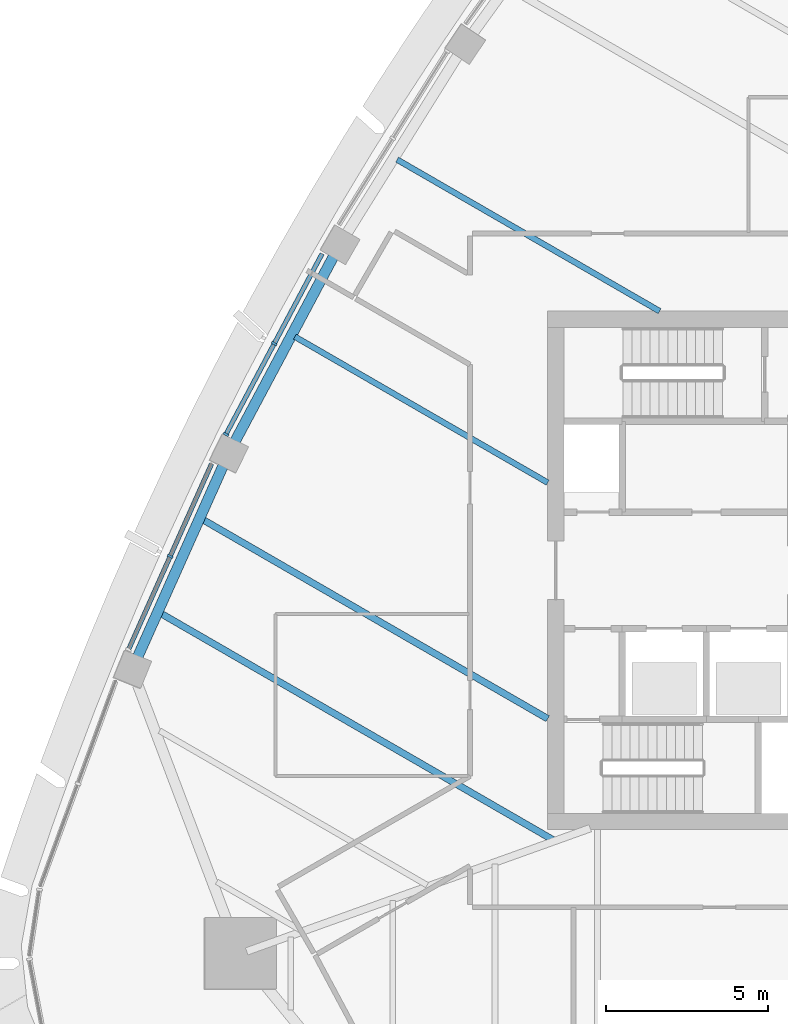
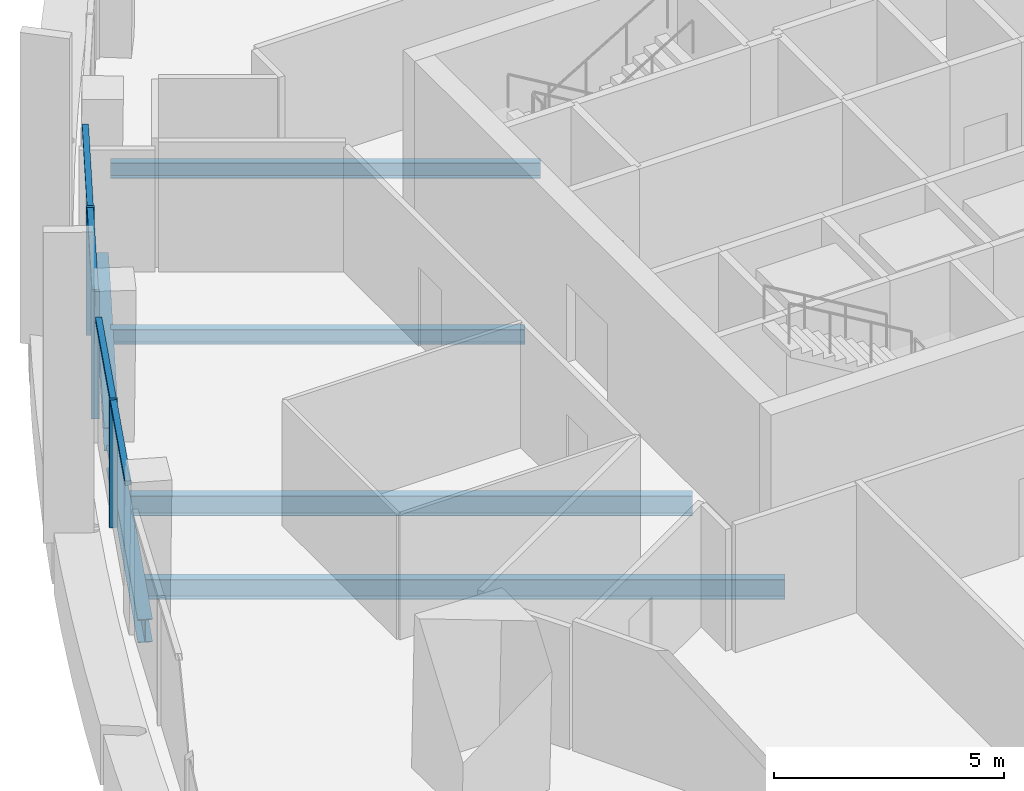
# One storey, part 3 of 19: 7 members, 6 beams, 2 elements without a shape of their own.
"""IFC4 building model written with IfcOpenShell, lengths in metres."""

import ifcopenshell
import ifcopenshell.guid

model = None  # the IFC model being written
_history = None  # IfcOwnerHistory: only IFC2X3 demands one
_inside = {}  # id of a spatial element -> (the spatial element, [elements in it])
_under = {}  # id of a project, library or spatial element -> (it, [spatial elements below it])
_declared = {}  # id of a project -> (the project, [libraries it declares])
_typed = {}  # id of a type object -> (the type object, [elements of that type])
_made_of = {}  # id of a material, layer set ... -> (it, [elements and type objects made of it])


def new_model(schema):
    """Start an empty IFC model of exactly this schema.

    Asked for "IFC4X3", IfcOpenShell would pick the latest addendum, in which some entities
    have other attributes; the version numbers below select the first issue.
    IFC2X3 requires an IfcOwnerHistory on every rooted entity: one is made here for all.
    """
    global model, _history
    if schema == "IFC4X3":
        model = ifcopenshell.file(schema_version=(4, 3, 0, 0))
    else:
        model = ifcopenshell.file(schema=schema)
    _inside.clear()
    _under.clear()
    _declared.clear()
    _typed.clear()
    _made_of.clear()
    _history = None
    if model.schema == "IFC2X3":
        org = make("IfcOrganization", Name="unknown")
        user = make(
            "IfcPersonAndOrganization",
            ThePerson=make("IfcPerson", FamilyName="unknown"),
            TheOrganization=org,
        )
        app = make(
            "IfcApplication",
            ApplicationDeveloper=org,
            Version="unknown",
            ApplicationFullName="unknown",
            ApplicationIdentifier="unknown",
        )
        _history = make(
            "IfcOwnerHistory",
            OwningUser=user,
            OwningApplication=app,
            ChangeAction="ADDED",
            CreationDate=0,
        )
    return model


def make(cls, **values):
    """One entity of the class cls with the attributes given. An attribute that is None is left unset."""
    return model.create_entity(
        cls, **{name: value for name, value in values.items() if value is not None}
    )


def rooted(cls, **values):
    """An entity with a GlobalId (a new one), such as an element, a storey or a relation."""
    return make(cls, GlobalId=ifcopenshell.guid.new(), OwnerHistory=_history, **values)


def si_unit(unit_type, name, prefix=None):
    """IfcSIUnit, for example si_unit("LENGTHUNIT", "METRE", prefix="MILLI")."""
    return make("IfcSIUnit", UnitType=unit_type, Prefix=prefix, Name=name)


def assignment(units):
    """IfcUnitAssignment: the units of a project."""
    return None if units is None else make("IfcUnitAssignment", Units=units)


def point(xyz):
    """IfcCartesianPoint."""
    return None if xyz is None else make("IfcCartesianPoint", Coordinates=xyz)


def direction(xyz):
    """IfcDirection."""
    return None if xyz is None else make("IfcDirection", DirectionRatios=xyz)


def frame(location, z_axis=None, x_axis=None):
    """IfcAxis2Placement3D, a coordinate frame: its origin and axes. An axis left out is left unset."""
    return make(
        "IfcAxis2Placement3D",
        Location=point(location),
        Axis=direction(z_axis),
        RefDirection=direction(x_axis),
    )


def frame_2d(location, x_axis=None):
    """IfcAxis2Placement2D, a coordinate frame in the plane: its origin and x axis."""
    return make(
        "IfcAxis2Placement2D", Location=point(location), RefDirection=direction(x_axis)
    )


def origin():
    """The frame at (0, 0, 0) with its axes left unset."""
    return frame((0.0, 0.0, 0.0))


def origin_2d():
    """The frame at (0, 0) in the plane with its x axis left unset."""
    return frame_2d((0.0, 0.0))


def place(relative_to, where):
    """IfcLocalPlacement: puts the frame where relative to a parent placement (None: the world)."""
    return make(
        "IfcLocalPlacement", PlacementRelTo=relative_to, RelativePlacement=where
    )


def context(
    kind, dimensions, precision=None, world=None, true_north=None, identifier=None
):
    """IfcGeometricRepresentationContext, for example the 3D "Model" context."""
    return make(
        "IfcGeometricRepresentationContext",
        ContextIdentifier=identifier,
        ContextType=kind,
        CoordinateSpaceDimension=dimensions,
        Precision=precision,
        WorldCoordinateSystem=world,
        TrueNorth=true_north,
    )


def subcontext(parent, identifier, kind, view, scale=None):
    """IfcGeometricRepresentationSubContext, for example "Body" below "Model"."""
    return make(
        "IfcGeometricRepresentationSubContext",
        ContextIdentifier=identifier,
        ContextType=kind,
        ParentContext=parent,
        TargetScale=scale,
        TargetView=view,
    )


def project(units=None, contexts=None):
    """IfcProject with its units and contexts."""
    return rooted(
        "IfcProject",
        Name="project",
        RepresentationContexts=contexts,
        UnitsInContext=assignment(units),
    )


def spatial(cls, under=None, at=None, **own):
    """A site, building, storey or space (cls), placed at a placement, below another one or the project."""
    s = rooted(cls, ObjectPlacement=at, **own)
    if under is not None:
        _under.setdefault(under.id(), (under, []))[1].append(s)
    return s


def profile(cls, at=None, kind="AREA", **sizes):
    """A parametric profile (cls). Its sizes go by their IFC names, for example OverallWidth=200.0."""
    return make(cls, ProfileType=kind, Position=at, **sizes)


def rectangle(**sizes):
    """IfcRectangleProfileDef."""
    return profile("IfcRectangleProfileDef", **sizes)


def i_section(**sizes):
    """IfcIShapeProfileDef."""
    return profile("IfcIShapeProfileDef", **sizes)


def extrude(swept, where, along, depth):
    """IfcExtrudedAreaSolid: the profile swept, set in the frame where, extruded along a direction by depth."""
    return make(
        "IfcExtrudedAreaSolid",
        SweptArea=swept,
        Position=where,
        ExtrudedDirection=direction(along),
        Depth=depth,
    )


def shape(context_of_items, identifier, shape_type, items):
    """IfcShapeRepresentation: the items that make up one representation, for example the "Body"."""
    return make(
        "IfcShapeRepresentation",
        ContextOfItems=context_of_items,
        RepresentationIdentifier=identifier,
        RepresentationType=shape_type,
        Items=items,
    )


def material(Name=None, Category=None):
    """IfcMaterial."""
    return make("IfcMaterial", Name=Name, Category=Category)


def layer(
    of_material, thickness, ventilated=None, Name=None, Category=None, Priority=None
):
    """IfcMaterialLayer: one layer of a wall or slab, of a material (None: an air gap)."""
    return make(
        "IfcMaterialLayer",
        Material=of_material,
        LayerThickness=thickness,
        IsVentilated=ventilated,
        Name=Name,
        Category=Category,
        Priority=Priority,
    )


def layer_set(layers, Name=None):
    """IfcMaterialLayerSet."""
    return make("IfcMaterialLayerSet", MaterialLayers=layers, LayerSetName=Name)


def material_profile(
    of_material, cross_section, Name=None, Category=None, Priority=None
):
    """IfcMaterialProfile: a cross section and its material."""
    return make(
        "IfcMaterialProfile",
        Name=Name,
        Material=of_material,
        Profile=cross_section,
        Priority=Priority,
        Category=Category,
    )


def profile_set(profiles, Name=None, composite=None):
    """IfcMaterialProfileSet."""
    return make(
        "IfcMaterialProfileSet",
        Name=Name,
        MaterialProfiles=profiles,
        CompositeProfile=composite,
    )


def made_of(thing, what):
    """Note that an element or type object is made of a material, layer set ...; save() writes the relation."""
    if what is not None:
        _made_of.setdefault(what.id(), (what, []))[1].append(thing)
    return thing


def type_object(cls, material=None, **own):
    """A type object (cls), such as IfcWallType, which elements share."""
    return made_of(rooted(cls, **own), material)


def element(
    cls,
    number,
    at=None,
    inside=None,
    cuts=None,
    type_object=None,
    material=None,
    context=None,
    identifier="Body",
    shape_type=None,
    held_by="IfcProductDefinitionShape",
    body=None,
    shapes=None,
    **own,
):
    """One element of the class cls, such as IfcWall. Its Tag is "e" and its number.

    at: its placement. inside: the storey or other place that contains it. cuts: it is an
    opening in that element (IfcRelVoidsElement). A single representation is given by context,
    identifier, shape_type and body (its items); several are given by shapes. held_by: the class
    of the entity that holds the representations. save() writes the other relations.
    """
    e = rooted(cls, Tag="e%d" % number, ObjectPlacement=at, **own)
    if body is not None:
        shapes = [shape(context, identifier, shape_type, body)]
    if shapes is not None:
        e.Representation = make(held_by, Representations=shapes)
    if inside is not None:
        _inside.setdefault(inside.id(), (inside, []))[1].append(e)
    if cuts is not None:
        rooted(
            "IfcRelVoidsElement", RelatingBuildingElement=cuts, RelatedOpeningElement=e
        )
    if type_object is not None:
        _typed.setdefault(type_object.id(), (type_object, []))[1].append(e)
    return made_of(e, material)


def aggregate(whole, parts):
    """IfcRelAggregates: a whole, such as a stair, and the parts it consists of."""
    return rooted("IfcRelAggregates", RelatingObject=whole, RelatedObjects=parts)


def save(model, path):
    """Write the relations noted so far, then the file.

    IfcRelAggregates (storeys below a building ...), IfcRelContainedInSpatialStructure (elements
    in a storey), IfcRelDefinesByType, IfcRelAssociatesMaterial and IfcRelDeclares: one each for
    every whole, place, type object, material and project.
    """
    for whole, parts in _under.values():
        aggregate(whole, parts)
    for where, things in _inside.values():
        rooted(
            "IfcRelContainedInSpatialStructure",
            RelatedElements=things,
            RelatingStructure=where,
        )
    for kind, things in _typed.values():
        rooted("IfcRelDefinesByType", RelatedObjects=things, RelatingType=kind)
    for what, things in _made_of.values():
        rooted("IfcRelAssociatesMaterial", RelatedObjects=things, RelatingMaterial=what)
    for by, libraries in _declared.values():
        rooted("IfcRelDeclares", RelatingContext=by, RelatedDefinitions=libraries)
    model.write(path)


model = new_model("IFC4")

# Units and contexts
model_context = context("Model", 3, precision=1e-05, world=origin(), true_north=direction((0.0, 1.0)))
body_context = subcontext(model_context, "Body", "Model", "MODEL_VIEW")
ifc_project = project(units=[si_unit("LENGTHUNIT", "METRE"), si_unit("AREAUNIT", "SQUARE_METRE"), si_unit("VOLUMEUNIT", "CUBIC_METRE"), si_unit("PLANEANGLEUNIT", "RADIAN"), si_unit("MASSUNIT", "GRAM", prefix="KILO")], contexts=[model_context])

# Site, building, storey
site_placement = place(None, origin())
site = spatial("IfcSite", under=ifc_project, at=site_placement, CompositionType="ELEMENT")
building_placement = place(site_placement, origin())
building = spatial("IfcBuilding", under=site, at=building_placement, Name="Sierra Prisma Convention Tower", CompositionType="ELEMENT")
storey_placement = place(building_placement, frame((0.0, 0.0, 295.0)))
storey = spatial("IfcBuildingStorey", under=building, at=storey_placement, Name="L67", CompositionType="ELEMENT", Elevation=295.0)

# Curtain wall, members
ifc_material_1 = material(Name="Aluminium and glass curtain wall", Category="aluminium")
ifc_layer = layer(ifc_material_1, 0.179931640625)
ifc_layer_set = layer_set([ifc_layer], Name="CW-1 Plain shaft curtain wall")
curtain_wall_type = type_object("IfcCurtainWallType", Name="CW-1 Plain shaft curtain wall", PredefinedType="NOTDEFINED", material=ifc_layer_set)
curtain_wall_1_placement = place(storey_placement, origin())
curtain_wall_1 = element("IfcCurtainWall", 1, at=curtain_wall_1_placement, inside=storey, type_object=curtain_wall_type, Name="CW-1 NW4 L67", PredefinedType="NOTDEFINED")
ifc_material_2 = material(Name="Aluminium 6063-T6 bronze anodised", Category="aluminium")
ifc_material_profile_1 = material_profile(ifc_material_2, rectangle(XDim=0.179931640625, YDim=0.070068359375, at=origin_2d()), Name="ALU MULLION 70x180")
ifc_profile_set_1 = profile_set([ifc_material_profile_1], Name="Aluminium 6063-T6 bronze anodised")
member_type_1 = type_object("IfcMemberType", Name="CW mullion bronze", PredefinedType="MULLION", material=ifc_profile_set_1)
member_1_placement = place(storey_placement, frame((-19.439697265625, 7.000244140625, 0.0), z_axis=(0.0, 0.0, 1.0), x_axis=(0.882726144638, -0.46988780956, 0.0)))
member_1 = element("IfcMember", 2, at=member_1_placement, type_object=member_type_1, Name="CW-1 mullion NW4.2", PredefinedType="MULLION", context=body_context, shape_type="SweptSolid", body=[
    extrude(rectangle(XDim=0.179931640625, YDim=0.070068359375, at=origin_2d()), origin(), (0.0, 0.0, 1.0), 3.39990234375),
])
member_2_placement = place(storey_placement, frame((-20.931640625, 4.19775390625, 0.0), z_axis=(0.0, 0.0, 1.0), x_axis=(0.882726144638, -0.46988780956, 0.0)))
member_2 = element("IfcMember", 3, at=member_2_placement, type_object=member_type_1, Name="CW-1 mullion NW4.3", PredefinedType="MULLION", context=body_context, shape_type="SweptSolid", body=[
    extrude(rectangle(XDim=0.179931640625, YDim=0.070068359375, at=origin_2d()), origin(), (0.0, 0.0, 1.0), 3.39990234375),
])

# Curtain wall, member
curtain_wall_2_placement = place(storey_placement, origin())
curtain_wall_2 = element("IfcCurtainWall", 4, at=curtain_wall_2_placement, inside=storey, type_object=curtain_wall_type, Name="CW-1 NW5 L67", PredefinedType="NOTDEFINED")
member_3_placement = place(storey_placement, frame((-22.652099609375, 0.43212890625, 0.0), z_axis=(0.0, 0.0, 1.0), x_axis=(0.912969229929, -0.40802841225, 0.0)))
member_3 = element("IfcMember", 5, at=member_3_placement, type_object=member_type_1, Name="CW-1 mullion NW5.2", PredefinedType="MULLION", context=body_context, shape_type="SweptSolid", body=[
    extrude(rectangle(XDim=0.179931640625, YDim=0.070068359375, at=origin_2d()), origin(), (0.0, 0.0, 1.0), 3.39990234375),
])

# Member
ifc_material_3 = material(Name="Aluminium 6063-T6 bronze anodised", Category="aluminium")
ifc_material_profile_2 = material_profile(ifc_material_3, rectangle(XDim=0.139892578125, YDim=0.1201171875, at=origin_2d()), Name="ALU TRANSOM 120x140")
ifc_profile_set_2 = profile_set([ifc_material_profile_2], Name="Aluminium 6063-T6 bronze anodised")
member_type_2 = type_object("IfcMemberType", Name="CW transom bronze", PredefinedType="USERDEFINED", material=ifc_profile_set_2)
member_4_placement = place(storey_placement, frame((-17.96435546875, 9.771728515625, 3.340087890625), z_axis=(-0.469902447422, -0.882718352537, 0.0), x_axis=(0.882718352537, -0.469902447422, 0.0)))
member_4 = element("IfcMember", 6, at=member_4_placement, type_object=member_type_2, Name="CW-1 transom NW4.1", ObjectType="TRANSOM", PredefinedType="USERDEFINED", context=body_context, shape_type="SweptSolid", body=[
    extrude(rectangle(XDim=0.139892578125, YDim=0.1201171875, at=origin_2d()), origin(), (0.0, 0.0, 1.0), 3.10498046875),
])

member_5_placement = place(storey_placement, frame((-19.456298828125, 6.96923828125, 3.340087890625), z_axis=(-0.469841174937, -0.882750967337, 0.0), x_axis=(0.882750967337, -0.469841174937, 0.0)))
member_5 = element("IfcMember", 7, at=member_5_placement, type_object=member_type_2, Name="CW-1 transom NW4.2", ObjectType="TRANSOM", PredefinedType="USERDEFINED", context=body_context, shape_type="SweptSolid", body=[
    extrude(rectangle(XDim=0.139892578125, YDim=0.1201171875, at=origin_2d()), origin(), (0.0, 0.0, 1.0), 3.104736328125),
])

aggregate(curtain_wall_1, [member_1, member_2, member_4, member_5])

member_6_placement = place(storey_placement, frame((-21.37744140625, 3.2841796875, 3.340087890625), z_axis=(-0.408000339874, -0.912981775646, 0.0), x_axis=(0.912981775646, -0.408000339874, 0.0)))
member_6 = element("IfcMember", 8, at=member_6_placement, type_object=member_type_2, Name="CW-1 transom NW5.1", ObjectType="TRANSOM", PredefinedType="USERDEFINED", context=body_context, shape_type="SweptSolid", body=[
    extrude(rectangle(XDim=0.139892578125, YDim=0.1201171875, at=origin_2d()), origin(), (0.0, 0.0, 1.0), 3.0888671875),
])

member_7_placement = place(storey_placement, frame((-22.666259765625, 0.400146484375, 3.340087890625), z_axis=(-0.408066218682, -0.912952332365, 0.0), x_axis=(0.912952332365, -0.408066218682, 0.0)))
member_7 = element("IfcMember", 9, at=member_7_placement, type_object=member_type_2, Name="CW-1 transom NW5.2", ObjectType="TRANSOM", PredefinedType="USERDEFINED", context=body_context, shape_type="SweptSolid", body=[
    extrude(rectangle(XDim=0.139892578125, YDim=0.1201171875, at=origin_2d()), origin(), (0.0, 0.0, 1.0), 3.0888671875),
])

aggregate(curtain_wall_2, [member_3, member_6, member_7])

# Beams
ifc_material_4 = material(Name="Steel ASTM A992 Gr 50", Category="steel")
ifc_material_profile_3 = material_profile(ifc_material_4, i_section(OverallWidth=0.177978515625, OverallDepth=0.406982421875, WebThickness=0.0078125, FlangeThickness=0.0126953125, at=origin_2d()), Name="W410x60")
ifc_profile_set_3 = profile_set([ifc_material_profile_3], Name="Steel ASTM A992 Gr 50")
beam_type_1 = type_object("IfcBeamType", Name="Floor joist W410x60", PredefinedType="JOIST", material=ifc_profile_set_3)
beam_1_placement = place(storey_placement, frame((-15.6474609375, 12.677734375, -0.353515625), z_axis=(0.866024793964, -0.500001056239, 0.0), x_axis=(0.500001056239, 0.866024793964, 0.0)))
element("IfcBeam", 10, at=beam_1_placement, inside=storey, type_object=beam_type_1, Name="Floor joist L67 NW06", PredefinedType="JOIST", context=body_context, shape_type="SweptSolid", body=[
    extrude(i_section(OverallWidth=0.177978515625, OverallDepth=0.406982421875, WebThickness=0.0078125, FlangeThickness=0.0126953125, at=origin_2d()), origin(), (0.0, 0.0, 1.0), 9.35546875),
])
beam_2_placement = place(storey_placement, frame((-18.80322265625, 7.212158203125, -0.353515625), z_axis=(0.866028563435, -0.499994527285, 0.0), x_axis=(0.499994527285, 0.866028563435, 0.0)))
element("IfcBeam", 11, at=beam_2_placement, inside=storey, type_object=beam_type_1, Name="Floor joist L67 NW08", PredefinedType="JOIST", context=body_context, shape_type="SweptSolid", body=[
    extrude(i_section(OverallWidth=0.177978515625, OverallDepth=0.406982421875, WebThickness=0.0078125, FlangeThickness=0.0126953125, at=origin_2d()), origin(), (0.0, 0.0, 1.0), 9.01025390625),
])
ifc_material_5 = material(Name="Steel ASTM A992 Gr 50", Category="steel")
ifc_material_profile_4 = material_profile(ifc_material_5, i_section(OverallWidth=0.208984375, OverallDepth=0.532958984375, WebThickness=0.01025390625, FlangeThickness=0.015625, at=origin_2d()), Name="W530x92")
ifc_profile_set_4 = profile_set([ifc_material_profile_4], Name="Steel ASTM A992 Gr 50")
beam_type_2 = type_object("IfcBeamType", Name="Floor joist W530x92", PredefinedType="JOIST", material=ifc_profile_set_4)
beam_3_placement = place(storey_placement, frame((-21.64013671875, 1.562744140625, -0.41650390625), z_axis=(0.866026087253, -0.499998816196, 0.0), x_axis=(0.499998816196, 0.866026087253, 0.0)))
element("IfcBeam", 12, at=beam_3_placement, inside=storey, type_object=beam_type_2, Name="Floor joist L67 NW10", PredefinedType="JOIST", context=body_context, shape_type="SweptSolid", body=[
    extrude(i_section(OverallWidth=0.208984375, OverallDepth=0.532958984375, WebThickness=0.01025390625, FlangeThickness=0.015625, at=origin_2d()), origin(), (0.0, 0.0, 1.0), 12.2861328125),
])
beam_4_placement = place(storey_placement, frame((-22.9345703125, -1.333740234375, -0.41650390625), z_axis=(0.866025289518, -0.500000197916, 0.0), x_axis=(0.500000197916, 0.866025289518, 0.0)))
element("IfcBeam", 13, at=beam_4_placement, inside=storey, type_object=beam_type_2, Name="Floor joist L67 NW11", PredefinedType="JOIST", context=body_context, shape_type="SweptSolid", body=[
    extrude(i_section(OverallWidth=0.208984375, OverallDepth=0.532958984375, WebThickness=0.01025390625, FlangeThickness=0.015625, at=origin_2d()), origin(), (0.0, 0.0, 1.0), 13.97509765625),
])
ifc_material_6 = material(Name="Steel ASTM A992 Gr 50", Category="steel")
ifc_material_profile_5 = material_profile(ifc_material_6, i_section(OverallWidth=0.324951171875, OverallDepth=0.615966796875, WebThickness=0.013916015625, FlangeThickness=0.021484375, at=origin_2d()), Name="W610x174")
ifc_profile_set_5 = profile_set([ifc_material_profile_5], Name="Steel ASTM A992 Gr 50")
beam_type_3 = type_object("IfcBeamType", Name="Spandrel beam W610x174", PredefinedType="BEAM", material=ifc_profile_set_5)
beam_5_placement = place(storey_placement, frame((-17.572265625, 9.76416015625, -0.4580078125), z_axis=(-0.469884627015, -0.882727838745, 0.0), x_axis=(0.882727838745, -0.469884627015, 0.0)))
element("IfcBeam", 14, at=beam_5_placement, inside=storey, type_object=beam_type_3, Name="Spandrel L67-16", PredefinedType="BEAM", context=body_context, shape_type="SweptSolid", body=[
    extrude(i_section(OverallWidth=0.324951171875, OverallDepth=0.615966796875, WebThickness=0.013916015625, FlangeThickness=0.021484375, at=origin_2d()), origin(), (0.0, 0.0, 1.0), 6.64697265625),
])
beam_6_placement = place(storey_placement, frame((-20.9853515625, 3.3037109375, -0.4580078125), z_axis=(-0.408052752965, -0.912958351075, 0.0), x_axis=(0.912958351075, -0.408052752965, 0.0)))
element("IfcBeam", 15, at=beam_6_placement, inside=storey, type_object=beam_type_3, Name="Spandrel L67-17", PredefinedType="BEAM", context=body_context, shape_type="SweptSolid", body=[
    extrude(i_section(OverallWidth=0.324951171875, OverallDepth=0.615966796875, WebThickness=0.013916015625, FlangeThickness=0.021484375, at=origin_2d()), origin(), (0.0, 0.0, 1.0), 6.647216796875),
])

save(model, "model.ifc")
